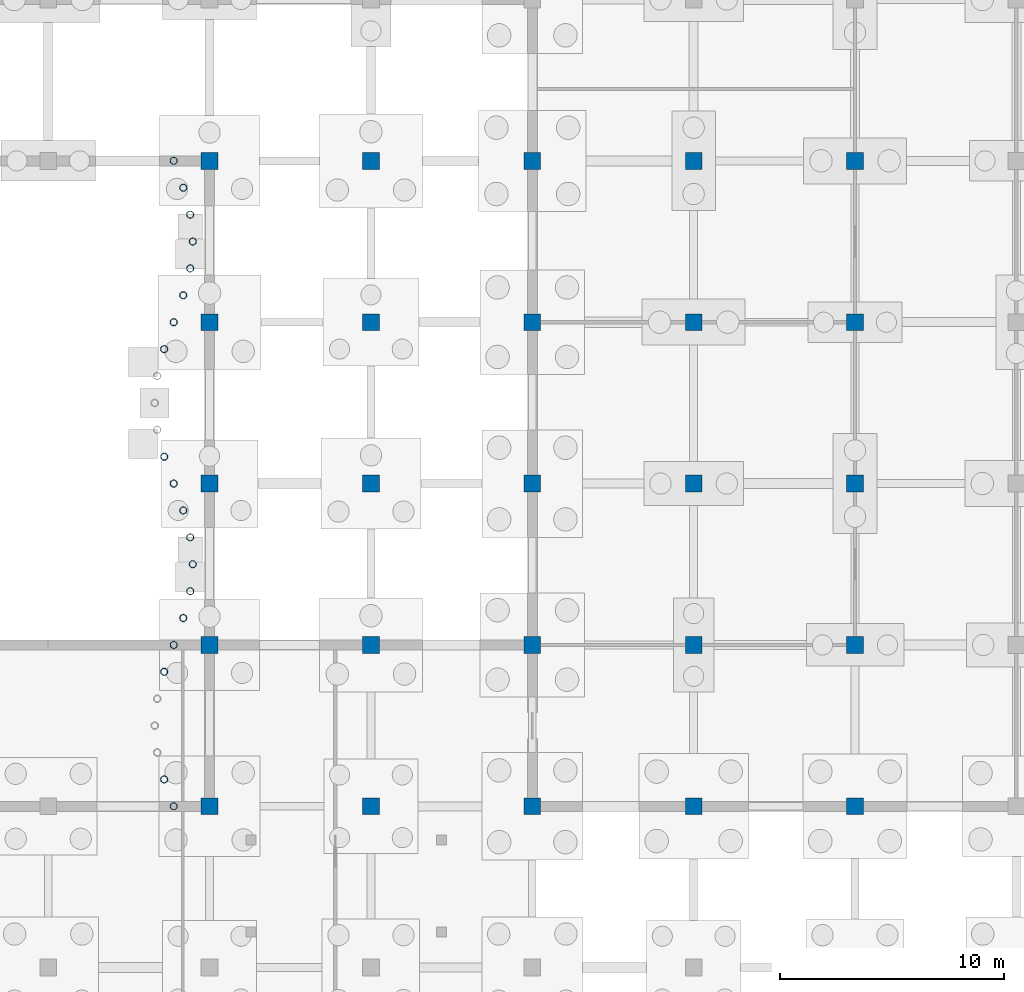
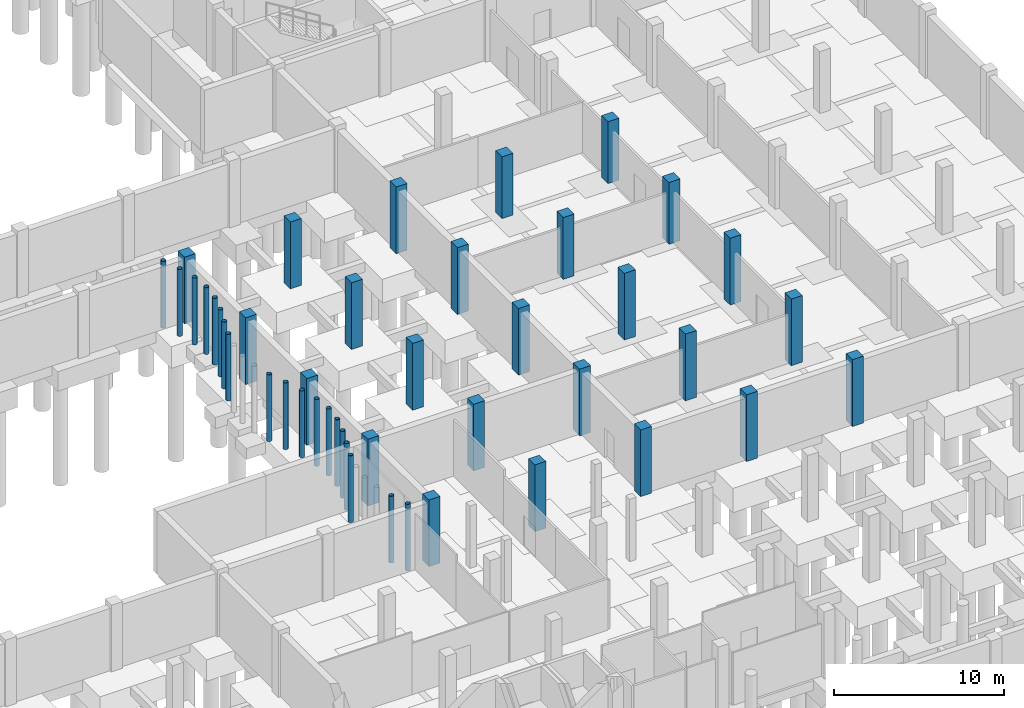
# One storey, part 20 of 35: 44 columns.
"""IFC4 building model written with IfcOpenShell, lengths in metres."""

from ifc_helpers import new_model, si_unit, direction, frame, origin, origin_2d, place, context, subcontext, project, spatial, rectangle, hollow_circle, extrude, material, material_profile, profile_set, type_object, element, save


model = new_model("IFC4")

# Units and contexts
model_context = context("Model", 3, precision=1e-05, world=origin(), true_north=direction((0.0, 1.0)))
body_context = subcontext(model_context, "Body", "Model", "MODEL_VIEW")
ifc_project = project(units=[si_unit("LENGTHUNIT", "METRE"), si_unit("AREAUNIT", "SQUARE_METRE"), si_unit("VOLUMEUNIT", "CUBIC_METRE"), si_unit("PLANEANGLEUNIT", "RADIAN"), si_unit("MASSUNIT", "GRAM", prefix="KILO"), si_unit("THERMODYNAMICTEMPERATUREUNIT", "KELVIN"), si_unit("POWERUNIT", "WATT")], contexts=[model_context])

# Site, building, storey
site_placement = place(None, origin())
site = spatial("IfcSite", under=ifc_project, at=site_placement, CompositionType="ELEMENT")
building_placement = place(site_placement, origin())
building = spatial("IfcBuilding", under=site, at=building_placement, Name="Kaldorven Railside Theatre", CompositionType="ELEMENT")
storey_placement = place(building_placement, frame((0.0, 0.0, -4.800048828125)))
storey = spatial("IfcBuildingStorey", under=building, at=storey_placement, Name="B1", CompositionType="ELEMENT", Elevation=-4.800048828125)

# Columns
ifc_material_1 = material(Name="Steel S355", Category="steel")
ifc_material_profile_1 = material_profile(ifc_material_1, hollow_circle(Radius=0.161865234375, WallThickness=0.01611328125, at=origin_2d()), Name="CHS 323.9x16")
ifc_profile_set_1 = profile_set([ifc_material_profile_1], Name="Steel S355")
column_type_1 = type_object("IfcColumnType", Name="COL-CHS324", PredefinedType="COLUMN", material=ifc_profile_set_1)
for number, where, z_axis, x_axis, name in (
    (1, (70.77490234375, 42.0, 0.0), (0.0, 0.0, 1.0), (1.0, 0.0, 0.0), "B1 Courtyard Flute Mullion Column CFS-019"),
    (2, (70.77490234375, 46.800048828125, 0.0), (0.0, 0.0, 1.0), (1.0, 0.0, 0.0), "B1 Courtyard Flute Mullion Column CFS-022"),
    (3, (70.77490234375, 56.39990234375, 0.0), (0.0, 0.0, 1.0), (1.0, 0.0, 0.0), "B1 Courtyard Flute Mullion Column CFS-025"),
    (4, (70.77490234375, 61.199951171875, 0.0), (0.0, 0.0, 1.0), (1.0, 0.0, 0.0), "B1 Courtyard Flute Mullion Column CFS-028"),
    (5, (71.199951171875, 40.800048828125, 0.0), (0.0, 0.0, 1.0), (1.0, 0.0, 0.0), "B1 Courtyard Flute Mullion Column CFS-031"),
    (6, (71.199951171875, 48.0, 0.0), (0.0, 0.0, 1.0), (1.0, 0.0, 0.0), "B1 Courtyard Flute Mullion Column CFS-034"),
    (7, (71.199951171875, 55.199951171875, 0.0), (0.0, 0.0, 1.0), (1.0, 0.0, 0.0), "B1 Courtyard Flute Mullion Column CFS-037"),
    (8, (71.199951171875, 62.39990234375, 0.0), (0.0, 0.0, 1.0), (1.0, 0.0, 0.0), "B1 Courtyard Flute Mullion Column CFS-040"),
    (9, (71.199951171875, 69.60009765625, 0.0), (0.0, 0.0, 1.0), (1.0, 0.0, 0.0), "B1 Courtyard Flute Mullion Column CFS-043"),
    (10, (71.625, 49.199951171875, 0.0), (0.0, 0.0, 1.0), (1.0, 0.0, 0.0), "B1 Courtyard Flute Mullion Column CFS-046"),
    (11, (71.625, 54.0, 0.0), (0.0, 0.0, 1.0), (1.0, 0.0, 0.0), "B1 Courtyard Flute Mullion Column CFS-049"),
    (12, (71.625, 63.60009765625, 0.0), (0.0, 0.0, 1.0), (1.0, 0.0, 0.0), "B1 Courtyard Flute Mullion Column CFS-052"),
    (13, (71.625, 68.39990234375, 0.0), (0.0, 0.0, 1.0), (1.0, 0.0, 0.0), "B1 Courtyard Flute Mullion Column CFS-055"),
    (14, (71.93603515625, 50.39990234375, 0.0), (0.0, 0.0, 1.0), (1.0, 0.0, 0.0), "B1 Courtyard Flute Mullion Column CFS-058"),
    (15, (71.93603515625, 52.800048828125, 0.0), (0.0, 0.0, 1.0), (1.0, 0.0, 0.0), "B1 Courtyard Flute Mullion Column CFS-061"),
    (16, (71.93603515625, 64.800048828125, 0.0), (0.0, 0.0, 1.0), (1.0, 0.0, 0.0), "B1 Courtyard Flute Mullion Column CFS-064"),
    (17, (71.93603515625, 67.199951171875, 0.0), (0.0, 0.0, 1.0), (1.0, 0.0, 0.0), "B1 Courtyard Flute Mullion Column CFS-067"),
    (18, (72.050048828125, 51.60009765625, 0.0), (0.0, 0.0, 1.0), (1.0, 0.0, 0.0), "B1 Courtyard Flute Mullion Column CFS-070"),
    (19, (72.050048828125, 66.0, 0.0), (0.0, 0.0, 1.0), (1.0, 0.0, 0.0), "B1 Courtyard Flute Mullion Column CFS-073"),
):
    element("IfcColumn", number, at=place(storey_placement, frame(where, z_axis=z_axis, x_axis=x_axis)), inside=storey, type_object=column_type_1, Name=name, PredefinedType="COLUMN", context=body_context, shape_type="SweptSolid", body=[
        extrude(hollow_circle(Radius=0.161865234375, WallThickness=0.01611328125, at=origin_2d()), origin(), (0.0, 0.0, 1.0), 4.800048828125),
    ])
ifc_material_2 = material(Name="Concrete C40/50", Category="concrete")
ifc_material_profile_2 = material_profile(ifc_material_2, rectangle(XDim=0.75, YDim=0.75, at=origin_2d()), Name="RC 750x750")
ifc_profile_set_2 = profile_set([ifc_material_profile_2], Name="Concrete C40/50")
column_type_2 = type_object("IfcColumnType", Name="COL-RC750", PredefinedType="COLUMN", material=ifc_profile_set_2)
for number, where, z_axis, x_axis, name in (
    (20, (72.800048828125, 40.800048828125, 0.0), (0.0, 0.0, 1.0), (0.0, 1.0, 0.0), "B1 Column CG-B1-072-040"),
    (21, (80.0, 40.800048828125, 0.0), (0.0, 0.0, 1.0), (1.0, 0.0, 0.0), "B1 Column CG-B1-080-040"),
    (22, (87.199951171875, 40.800048828125, 0.0), (0.0, 0.0, 1.0), (1.0, 0.0, 0.0), "B1 Column CG-B1-087-040"),
    (23, (94.39990234375, 40.800048828125, 0.0), (0.0, 0.0, 1.0), (0.0, 1.0, 0.0), "B1 Column CG-B1-094-040"),
    (24, (101.60009765625, 40.800048828125, 0.0), (0.0, 0.0, 1.0), (1.0, 0.0, 0.0), "B1 Column CG-B1-101-040"),
    (25, (72.800048828125, 48.0, 0.0), (0.0, 0.0, 1.0), (1.0, 0.0, 0.0), "B1 Column CG-B1-072-048"),
    (26, (80.0, 48.0, 0.0), (0.0, 0.0, 1.0), (1.0, 0.0, 0.0), "B1 Column CG-B1-080-048"),
    (27, (87.199951171875, 48.0, 0.0), (0.0, 0.0, 1.0), (0.0, 1.0, 0.0), "B1 Column CG-B1-087-048"),
    (28, (94.39990234375, 48.0, 0.0), (0.0, 0.0, 1.0), (1.0, 0.0, 0.0), "B1 Column CG-B1-094-048"),
    (29, (101.60009765625, 48.0, 0.0), (0.0, 0.0, 1.0), (0.0, 1.0, 0.0), "B1 Column CG-B1-101-048"),
    (30, (72.800048828125, 55.199951171875, 0.0), (0.0, 0.0, 1.0), (1.0, 0.0, 0.0), "B1 Column CG-B1-072-055"),
    (31, (80.0, 55.199951171875, 0.0), (0.0, 0.0, 1.0), (0.0, 1.0, 0.0), "B1 Column CG-B1-080-055"),
    (32, (87.199951171875, 55.199951171875, 0.0), (0.0, 0.0, 1.0), (1.0, 0.0, 0.0), "B1 Column CG-B1-087-055"),
    (33, (94.39990234375, 55.199951171875, 0.0), (0.0, 0.0, 1.0), (0.0, 1.0, 0.0), "B1 Column CG-B1-094-055"),
    (34, (101.60009765625, 55.199951171875, 0.0), (0.0, 0.0, 1.0), (1.0, 0.0, 0.0), "B1 Column CG-B1-101-055"),
    (35, (72.800048828125, 62.39990234375, 0.0), (0.0, 0.0, 1.0), (0.0, 1.0, 0.0), "B1 Column CG-B1-072-062"),
    (36, (80.0, 62.39990234375, 0.0), (0.0, 0.0, 1.0), (1.0, 0.0, 0.0), "B1 Column CG-B1-080-062"),
    (37, (87.199951171875, 62.39990234375, 0.0), (0.0, 0.0, 1.0), (0.0, 1.0, 0.0), "B1 Column CG-B1-087-062"),
):
    element("IfcColumn", number, at=place(storey_placement, frame(where, z_axis=z_axis, x_axis=x_axis)), inside=storey, type_object=column_type_2, Name=name, PredefinedType="COLUMN", context=body_context, shape_type="SweptSolid", body=[
        extrude(rectangle(XDim=0.75, YDim=0.75, at=origin_2d()), origin(), (0.0, 0.0, 1.0), 4.800048828125),
    ])
for number, where, z_axis, x_axis, name in (
    (38, (94.39990234375, 62.39990234375, 0.0), (0.0, 0.0, 1.0), (1.0, 0.0, 0.0), "B1 Column CG-B1-094-062"),
    (39, (101.60009765625, 62.39990234375, 0.0), (0.0, 0.0, 1.0), (1.0, 0.0, 0.0), "B1 Column CG-B1-101-062"),
):
    element("IfcColumn", number, at=place(storey_placement, frame(where, z_axis=z_axis, x_axis=x_axis)), inside=storey, type_object=column_type_2, Name=name, PredefinedType="COLUMN", context=body_context, shape_type="SweptSolid", body=[
        extrude(rectangle(XDim=0.75, YDim=0.75, at=origin_2d()), origin(), (0.0, 0.0, 1.0), 4.449951171875),
    ])
for number, where, z_axis, x_axis, name in (
    (40, (72.800048828125, 69.60009765625, 0.0), (0.0, 0.0, 1.0), (1.0, 0.0, 0.0), "B1 Column CG-B1-072-069"),
    (41, (80.0, 69.60009765625, 0.0), (0.0, 0.0, 1.0), (0.0, 1.0, 0.0), "B1 Column CG-B1-080-069"),
    (42, (87.199951171875, 69.60009765625, 0.0), (0.0, 0.0, 1.0), (1.0, 0.0, 0.0), "B1 Column CG-B1-087-069"),
):
    element("IfcColumn", number, at=place(storey_placement, frame(where, z_axis=z_axis, x_axis=x_axis)), inside=storey, type_object=column_type_2, Name=name, PredefinedType="COLUMN", context=body_context, shape_type="SweptSolid", body=[
        extrude(rectangle(XDim=0.75, YDim=0.75, at=origin_2d()), origin(), (0.0, 0.0, 1.0), 4.800048828125),
    ])
for number, where, z_axis, x_axis, name in (
    (43, (94.39990234375, 69.60009765625, 0.0), (0.0, 0.0, 1.0), (1.0, 0.0, 0.0), "B1 Column CG-B1-094-069"),
    (44, (101.60009765625, 69.60009765625, 0.0), (0.0, 0.0, 1.0), (0.0, 1.0, 0.0), "B1 Column CG-B1-101-069"),
):
    element("IfcColumn", number, at=place(storey_placement, frame(where, z_axis=z_axis, x_axis=x_axis)), inside=storey, type_object=column_type_2, Name=name, PredefinedType="COLUMN", context=body_context, shape_type="SweptSolid", body=[
        extrude(rectangle(XDim=0.75, YDim=0.75, at=origin_2d()), origin(), (0.0, 0.0, 1.0), 4.449951171875),
    ])

save(model, "model.ifc")
